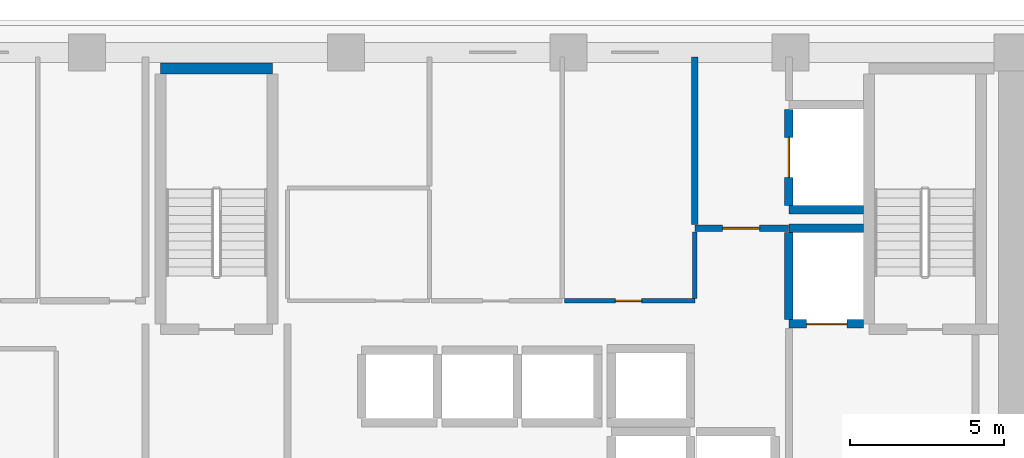
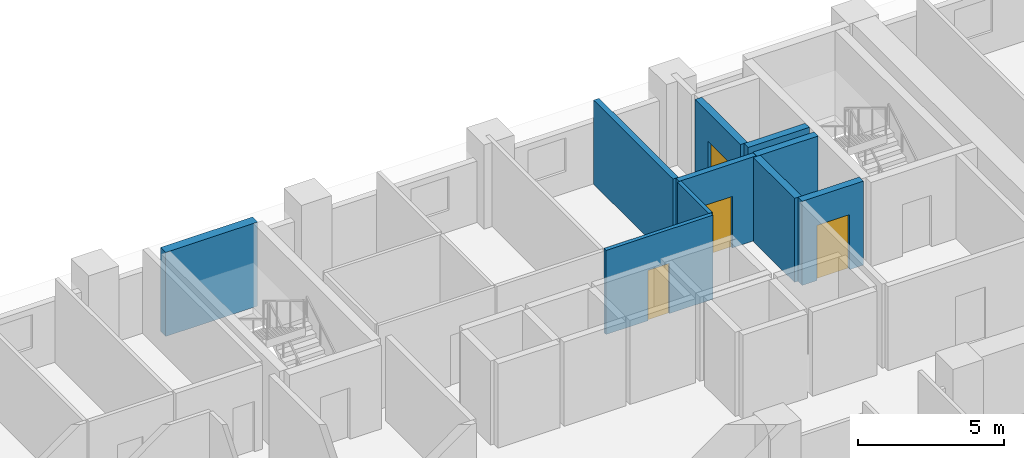
# One storey, part 8 of 15: 10 walls, 4 doors, 4 openings.
"""IFC4 building model written with IfcOpenShell, lengths in metres."""

from ifc_helpers import new_model, si_unit, direction, frame, frame_2d, origin, place, context, subcontext, project, spatial, rectangle, extrude, material, layer, layer_set, type_object, element, fill, save


model = new_model("IFC4")

# Units and contexts
model_context = context("Model", 3, precision=1e-05, world=origin(), true_north=direction((0.0, 1.0)))
body_context = subcontext(model_context, "Body", "Model", "MODEL_VIEW")
ifc_project = project(units=[si_unit("LENGTHUNIT", "METRE"), si_unit("AREAUNIT", "SQUARE_METRE"), si_unit("VOLUMEUNIT", "CUBIC_METRE"), si_unit("PLANEANGLEUNIT", "RADIAN"), si_unit("MASSUNIT", "GRAM", prefix="KILO")], contexts=[model_context])

# Site, building, storey
site_placement = place(None, origin())
site = spatial("IfcSite", under=ifc_project, at=site_placement, CompositionType="ELEMENT")
building_placement = place(site_placement, origin())
building = spatial("IfcBuilding", under=site, at=building_placement, Name="Kaelvorn Grand Hotel", CompositionType="ELEMENT")
storey_placement = place(building_placement, frame((0.0, 0.0, 108.050048828125)))
storey = spatial("IfcBuildingStorey", under=building, at=storey_placement, Name="L25", CompositionType="ELEMENT", Elevation=108.050048828125)

# Wall, opening, door
ifc_material_1 = material(Name="Acoustic Gypsum & Stud Partition")
ifc_layer_1 = layer(ifc_material_1, 0.14990234375)
ifc_layer_set_1 = layer_set([ifc_layer_1], Name="Acoustic Gypsum & Stud Partition")
wall_type_1 = type_object("IfcWallType", Name="WL-PART-150-EI60", PredefinedType="PARTITIONING", material=ifc_layer_set_1)
wall_1_placement = place(storey_placement, frame((53.280029296875, 40.949951171875, 0.0), z_axis=(0.0, 0.0, 1.0), x_axis=(1.0, 0.0, 0.0)))
wall_1 = element("IfcWall", 1, at=wall_1_placement, inside=storey, type_object=wall_type_1, Name="L25 Floor IT & Comms Room S Partition", PredefinedType="PARTITIONING", context=body_context, shape_type="SweptSolid", body=[
    extrude(rectangle(XDim=4.219970703125, YDim=0.14990234375, at=frame_2d((2.10986328125, 0.0))), origin(), (0.0, 0.0, 1.0), 3.510009765625),
])
opening_1_placement = place(wall_1_placement, frame((1.64501953125, 0.0, 0.0)))
opening_1 = element("IfcOpeningElement", 2, at=opening_1_placement, cuts=wall_1, Name="Opening DI7", PredefinedType="OPENING", context=body_context, shape_type="SweptSolid", body=[
    extrude(rectangle(XDim=0.85009765625, YDim=2.10009765625, at=frame_2d((0.425048828125, 1.050048828125))), frame((0.0, 0.0849609375, 0.0), z_axis=(0.0, -1.0, 0.0), x_axis=(1.0, 0.0, 0.0)), (0.0, 0.0, 1.0), 0.169921875),
])
ifc_material_2 = material(Name="Powder-Coated Steel Leaf", Category="steel")
door_type_1 = type_object("IfcDoorType", Name="DR-INT-RISER-850x2100", OperationType="NOTDEFINED", PredefinedType="DOOR", material=ifc_material_2)
door_1_placement = place(opening_1_placement, origin())
door_1 = element("IfcDoor", 3, at=door_1_placement, inside=storey, type_object=door_type_1, Name="L25 Floor IT & Comms Room Door", OperationType="SINGLE_SWING_LEFT", OverallHeight=2.10009765625, OverallWidth=0.85009765625, PredefinedType="DOOR", context=body_context, shape_type="SweptSolid", body=[
    extrude(rectangle(XDim=0.85009765625, YDim=2.10009765625, at=frame_2d((0.425048828125, 1.050048828125))), frame((0.0, 0.02490234375, 0.0), z_axis=(0.0, -1.0, 0.0), x_axis=(1.0, 0.0, 0.0)), (0.0, 0.0, 1.0), 0.050048828125),
])
fill(opening_1, door_1)

# Wall
wall_2_placement = place(storey_placement, frame((57.5, 41.030029296875, 0.0), z_axis=(0.0, 0.0, 1.0), x_axis=(0.0, 1.0, 0.0)))
element("IfcWall", 4, at=wall_2_placement, inside=storey, type_object=wall_type_1, Name="L25 Floor IT & Comms Room E Partition", PredefinedType="PARTITIONING", context=body_context, shape_type="SweptSolid", body=[
    extrude(rectangle(XDim=2.155029296875, YDim=0.14990234375, at=frame_2d((1.07763671875, 0.0))), origin(), (0.0, 0.0, 1.0), 3.510009765625),
])

# Wall, opening, door
ifc_material_3 = material(Name="Concrete C40/50", Category="concrete")
ifc_layer_2 = layer(ifc_material_3, 0.219970703125)
ifc_layer_set_2 = layer_set([ifc_layer_2], Name="Concrete C40/50")
wall_type_2 = type_object("IfcWallType", Name="WL-PART-220-EI120", PredefinedType="PARTITIONING", material=ifc_layer_set_2)
wall_3_placement = place(storey_placement, frame((57.5, 43.300048828125, 0.0), z_axis=(0.0, 0.0, 1.0), x_axis=(1.0, 0.0, 0.0)))
wall_3 = element("IfcWall", 5, at=wall_3_placement, inside=storey, type_object=wall_type_2, Name="L25 Service Lift Lobby S Partition", PredefinedType="PARTITIONING", context=body_context, shape_type="SweptSolid", body=[
    extrude(rectangle(XDim=3.0400390625, YDim=0.219970703125, at=frame_2d((1.52001953125, 0.0))), origin(), (0.0, 0.0, 1.0), 3.510009765625),
])
opening_2_placement = place(wall_3_placement, frame((0.89990234375, 0.0, 0.0)))
opening_2 = element("IfcOpeningElement", 6, at=opening_2_placement, cuts=wall_3, Name="Opening DI2", PredefinedType="OPENING", context=body_context, shape_type="SweptSolid", body=[
    extrude(rectangle(XDim=1.199951171875, YDim=2.14990234375, at=frame_2d((0.60009765625, 1.074951171875))), frame((0.0, 0.1201171875, 0.0), z_axis=(0.0, -1.0, 0.0), x_axis=(1.0, 0.0, 0.0)), (0.0, 0.0, 1.0), 0.239990234375),
])
ifc_material_4 = material(Name="Timber Veneer Fire Leaf", Category="wood")
door_type_2 = type_object("IfcDoorType", Name="DR-INT-FFLOB-1200x2150", OperationType="NOTDEFINED", PredefinedType="DOOR", material=ifc_material_4)
door_2_placement = place(opening_2_placement, origin())
door_2 = element("IfcDoor", 7, at=door_2_placement, inside=storey, type_object=door_type_2, Name="L25 Service Lift Lobby Door", OperationType="SINGLE_SWING_RIGHT", OverallHeight=2.14990234375, OverallWidth=1.199951171875, PredefinedType="DOOR", context=body_context, shape_type="SweptSolid", body=[
    extrude(rectangle(XDim=1.199951171875, YDim=2.14990234375, at=frame_2d((0.60009765625, 1.074951171875))), frame((0.0, 0.02490234375, 0.0), z_axis=(0.0, -1.0, 0.0), x_axis=(1.0, 0.0, 0.0)), (0.0, 0.0, 1.0), 0.050048828125),
])
fill(opening_2, door_2)

# Wall
wall_4_placement = place(storey_placement, frame((57.5, 43.4150390625, 0.0), z_axis=(0.0, 0.0, 1.0), x_axis=(0.0, 1.0, 0.0)))
element("IfcWall", 8, at=wall_4_placement, inside=storey, type_object=wall_type_2, Name="L25 Service Lift Lobby W Partition", PredefinedType="PARTITIONING", context=body_context, shape_type="SweptSolid", body=[
    extrude(rectangle(XDim=5.43505859375, YDim=0.219970703125, at=frame_2d((2.717529296875, 0.0))), origin(), (0.0, 0.0, 1.0), 3.510009765625),
])

# Wall, opening, door
ifc_material_5 = material(Name="Concrete C50/60", Category="concrete")
ifc_layer_3 = layer(ifc_material_5, 0.280029296875)
ifc_layer_set_3 = layer_set([ifc_layer_3], Name="Concrete C50/60")
wall_type_3 = type_object("IfcWallType", Name="WL-SHAFT-280-C50", PredefinedType="SHEAR", material=ifc_layer_set_3)
wall_5_placement = place(storey_placement, frame((60.550048828125, 40.199951171875, 0.0), z_axis=(0.0, 0.0, 1.0), x_axis=(1.0, 0.0, 0.0)))
wall_5 = element("IfcWall", 9, at=wall_5_placement, inside=storey, type_object=wall_type_3, Name="L25 Lift FFL2 Shaft South Wall", PredefinedType="SHEAR", context=body_context, shape_type="SweptSolid", body=[
    extrude(rectangle(XDim=2.4150390625, YDim=0.280029296875, at=frame_2d((1.20751953125, 0.0))), origin(), (0.0, 0.0, 1.0), 3.510009765625),
])
opening_3_placement = place(wall_5_placement, frame((0.574951171875, 0.0, 0.0)))
opening_3 = element("IfcOpeningElement", 10, at=opening_3_placement, cuts=wall_5, Name="Opening LD-FFL2", PredefinedType="OPENING", context=body_context, shape_type="SweptSolid", body=[
    extrude(rectangle(XDim=1.300048828125, YDim=2.300048828125, at=frame_2d((0.64990234375, 1.14990234375))), frame((0.0, 0.14990234375, 0.0), z_axis=(0.0, -1.0, 0.0), x_axis=(1.0, 0.0, 0.0)), (0.0, 0.0, 1.0), 0.300048828125),
])
ifc_material_6 = material(Name="Stainless Steel", Category="steel")
door_type_3 = type_object("IfcDoorType", Name="DR-LIFT-SERV-1300x2300", OperationType="DOUBLE_DOOR_SLIDING", PredefinedType="DOOR", material=ifc_material_6)
door_3_placement = place(opening_3_placement, origin())
door_3 = element("IfcDoor", 11, at=door_3_placement, inside=storey, type_object=door_type_3, Name="L25 Lift FFL2 Sliding Landing Door LD-FFL2", OperationType="DOUBLE_DOOR_SLIDING", OverallHeight=2.300048828125, OverallWidth=1.300048828125, PredefinedType="DOOR", context=body_context, shape_type="SweptSolid", body=[
    extrude(rectangle(XDim=1.300048828125, YDim=2.300048828125, at=frame_2d((0.64990234375, 1.14990234375))), frame((0.0, 0.02490234375, 0.0), z_axis=(0.0, -1.0, 0.0), x_axis=(1.0, 0.0, 0.0)), (0.0, 0.0, 1.0), 0.050048828125),
])
fill(opening_3, door_3)

# Walls
wall_6_placement = place(storey_placement, frame((60.550048828125, 43.300048828125, 0.0), z_axis=(0.0, 0.0, 1.0), x_axis=(1.0, 0.0, 0.0)))
element("IfcWall", 12, at=wall_6_placement, inside=storey, type_object=wall_type_3, Name="L25 Lift FFL2 Shaft North Wall", PredefinedType="SHEAR", context=body_context, shape_type="SweptSolid", body=[
    extrude(rectangle(XDim=2.4150390625, YDim=0.280029296875, at=frame_2d((1.20751953125, 0.0))), origin(), (0.0, 0.0, 1.0), 3.510009765625),
])
wall_7_placement = place(storey_placement, frame((60.550048828125, 40.344970703125, 0.0), z_axis=(0.0, 0.0, 1.0), x_axis=(0.0, 1.0, 0.0)))
element("IfcWall", 13, at=wall_7_placement, inside=storey, type_object=wall_type_3, Name="L25 Lift FFL2 Shaft West Wall", PredefinedType="SHEAR", context=body_context, shape_type="SweptSolid", body=[
    extrude(rectangle(XDim=2.81005859375, YDim=0.280029296875, at=frame_2d((1.405029296875, 0.0))), origin(), (0.0, 0.0, 1.0), 3.510009765625),
])
wall_8_placement = place(storey_placement, frame((60.550048828125, 43.89990234375, 0.0), z_axis=(0.0, 0.0, 1.0), x_axis=(1.0, 0.0, 0.0)))
element("IfcWall", 14, at=wall_8_placement, inside=storey, type_object=wall_type_3, Name="L25 Lift SV1 Shaft South Wall", PredefinedType="SHEAR", context=body_context, shape_type="SweptSolid", body=[
    extrude(rectangle(XDim=2.4150390625, YDim=0.280029296875, at=frame_2d((1.20751953125, 0.0))), origin(), (0.0, 0.0, 1.0), 3.510009765625),
])

# Wall, opening, door
wall_9_placement = place(storey_placement, frame((60.550048828125, 44.044921875, 0.0), z_axis=(0.0, 0.0, 1.0), x_axis=(0.0, 1.0, 0.0)))
wall_9 = element("IfcWall", 15, at=wall_9_placement, inside=storey, type_object=wall_type_3, Name="L25 Lift SV1 Shaft West Wall", PredefinedType="SHEAR", context=body_context, shape_type="SweptSolid", body=[
    extrude(rectangle(XDim=3.110107421875, YDim=0.280029296875, at=frame_2d((1.55517578125, 0.0))), origin(), (0.0, 0.0, 1.0), 3.510009765625),
])
opening_4_placement = place(wall_9_placement, frame((0.905029296875, 0.0, 0.0)))
opening_4 = element("IfcOpeningElement", 16, at=opening_4_placement, cuts=wall_9, Name="Opening LD-SV1", PredefinedType="OPENING", context=body_context, shape_type="SweptSolid", body=[
    extrude(rectangle(XDim=1.300048828125, YDim=2.300048828125, at=frame_2d((0.64990234375, 1.14990234375))), frame((0.0, 0.14990234375, 0.0), z_axis=(0.0, -1.0, 0.0), x_axis=(1.0, 0.0, 0.0)), (0.0, 0.0, 1.0), 0.300048828125),
])
door_4_placement = place(opening_4_placement, origin())
door_4 = element("IfcDoor", 17, at=door_4_placement, inside=storey, type_object=door_type_3, Name="L25 Lift SV1 Sliding Landing Door LD-SV1", OperationType="DOUBLE_DOOR_SLIDING", OverallHeight=2.300048828125, OverallWidth=1.300048828125, PredefinedType="DOOR", context=body_context, shape_type="SweptSolid", body=[
    extrude(rectangle(XDim=1.300048828125, YDim=2.300048828125, at=frame_2d((0.64990234375, 1.14990234375))), frame((0.0, 0.02490234375, 0.0), z_axis=(0.0, -1.0, 0.0), x_axis=(1.0, 0.0, 0.0)), (0.0, 0.0, 1.0), 0.050048828125),
])
fill(opening_4, door_4)

# Wall
ifc_material_7 = material(Name="Concrete C60/75", Category="concrete")
ifc_layer_4 = layer(ifc_material_7, 0.35009765625)
ifc_layer_set_4 = layer_set([ifc_layer_4], Name="Concrete C60/75")
wall_type_4 = type_object("IfcWallType", Name="WL-SHAFT-350-C60", PredefinedType="SHEAR", material=ifc_layer_set_4)
wall_10_placement = place(storey_placement, frame((40.18505859375, 48.47509765625, 0.0), z_axis=(0.0, 0.0, 1.0), x_axis=(1.0, 0.0, 0.0)))
element("IfcWall", 18, at=wall_10_placement, inside=storey, type_object=wall_type_4, Name="L25 ST2 Stair Shaft North Wall", PredefinedType="SHEAR", context=body_context, shape_type="SweptSolid", body=[
    extrude(rectangle(XDim=3.6298828125, YDim=0.35009765625, at=frame_2d((1.81494140625, 0.0))), origin(), (0.0, 0.0, 1.0), 3.510009765625),
])

save(model, "model.ifc")
